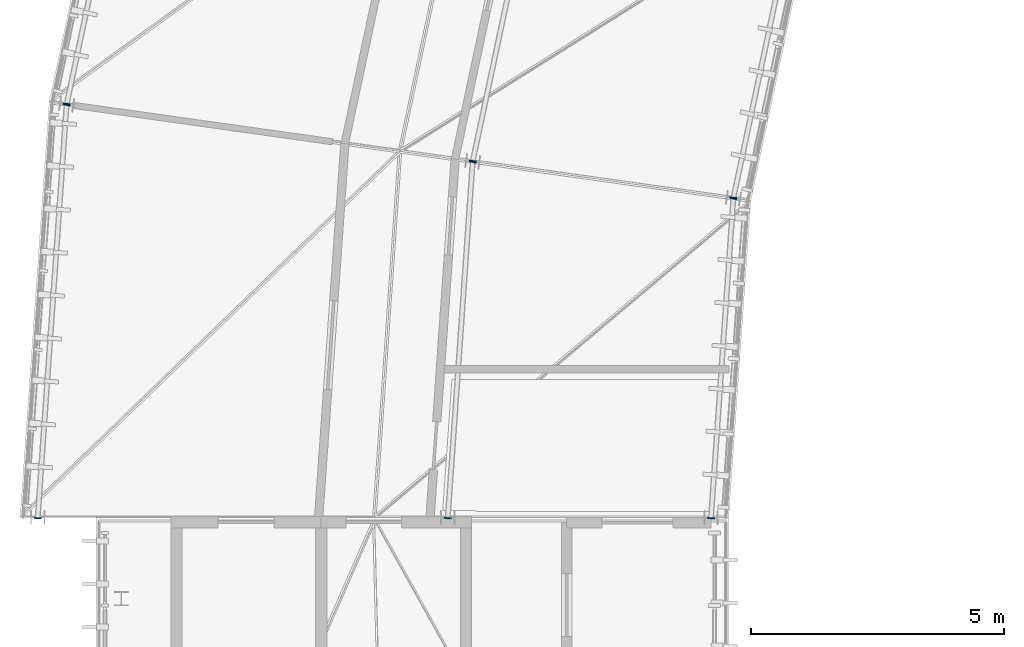
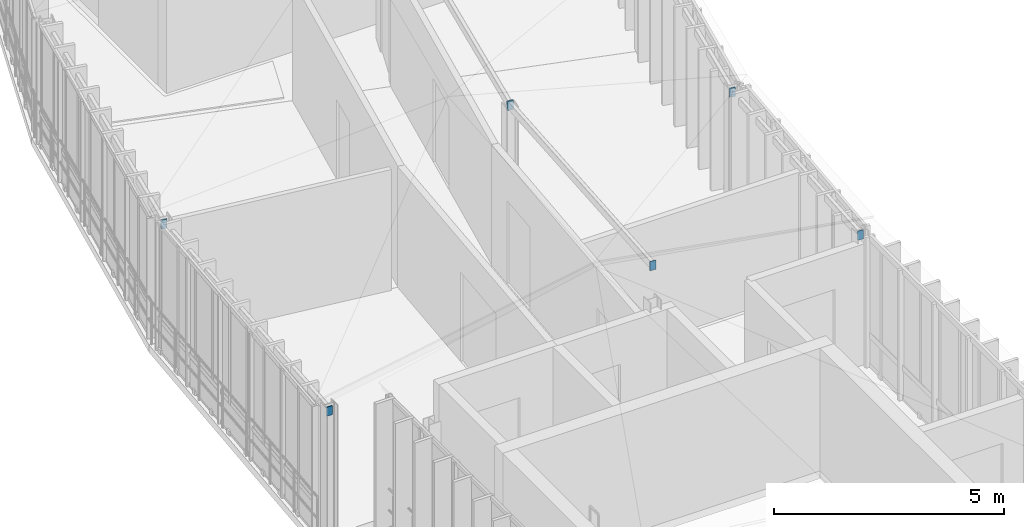
# One storey, part 10 of 18: 9 plates.
"""IFC4 building model written with IfcOpenShell, lengths in metres."""

from ifc_helpers import new_model, si_unit, direction, frame, origin, origin_2d, place, context, subcontext, project, spatial, rectangle, extrude, material, layer, layer_set, type_object, element, save


model = new_model("IFC4")

# Units and contexts
model_context = context("Model", 3, precision=1e-05, world=origin(), true_north=direction((0.0, 1.0)))
body_context = subcontext(model_context, "Body", "Model", "MODEL_VIEW")
ifc_project = project(units=[si_unit("LENGTHUNIT", "METRE"), si_unit("AREAUNIT", "SQUARE_METRE"), si_unit("VOLUMEUNIT", "CUBIC_METRE"), si_unit("PLANEANGLEUNIT", "RADIAN"), si_unit("MASSUNIT", "GRAM", prefix="KILO"), si_unit("THERMODYNAMICTEMPERATUREUNIT", "KELVIN"), si_unit("POWERUNIT", "WATT")], contexts=[model_context])

# Site, building, storey
site_placement = place(None, origin())
site = spatial("IfcSite", under=ifc_project, at=site_placement, CompositionType="ELEMENT")
building_placement = place(site_placement, origin())
building = spatial("IfcBuilding", under=site, at=building_placement, Name="Solvatero Civic Police Headquarters", CompositionType="ELEMENT")
storey_placement = place(building_placement, frame((0.0, 0.0, 29.39990234375)))
storey = spatial("IfcBuildingStorey", under=building, at=storey_placement, Name="L07", CompositionType="ELEMENT", Elevation=29.39990234375)

# Plates
ifc_material = material(Name="Steel S355", Category="steel")
ifc_layer = layer(ifc_material, 0.02001953125)
ifc_layer_set = layer_set([ifc_layer], Name="Steel S355")
plate_type = type_object("IfcPlateType", Name="PLT-CAP-20", PredefinedType="SHEET", material=ifc_layer_set)
for number, where, z_axis, x_axis, name in (
    (1, (49.089111328125, 32.3017578125, 3.0), (0.0, 0.0, 1.0), (-0.207911690818, -0.978147600734, 0.0), "Hollow Section End Cap Plate 0224"),
    (2, (43.939697265625, 33.025390625, 4.01513671875), (0.0, 0.0, 1.0), (-0.207911690818, -0.978147600734, 0.0), "Hollow Section End Cap Plate 0226"),
    (3, (35.918701171875, 34.152587890625, 3.0), (0.0, 0.0, 1.0), (-0.207911690818, -0.978147600734, 0.0), "Hollow Section End Cap Plate 0228"),
    (4, (49.092041015625, 32.321533203125, 3.0), (0.0, 0.0, 1.0), (-0.069756473744, -0.99756405026, 0.0), "Hollow Section End Cap Plate 0229"),
    (5, (48.6494140625, 25.989990234375, 3.2001953125), (0.0, 0.0, 1.0), (-0.069756473744, -0.99756405026, 0.0), "Hollow Section End Cap Plate 0230"),
    (6, (43.942626953125, 33.045166015625, 4.01513671875), (0.0, 0.0, 1.0), (-0.069756473744, -0.99756405026, 0.0), "Hollow Section End Cap Plate 0231"),
    (7, (43.44921875, 25.989990234375, 4.21533203125), (0.0, 0.0, 1.0), (-0.069756473744, -0.99756405026, 0.0), "Hollow Section End Cap Plate 0232"),
    (8, (35.92138671875, 34.172607421875, 3.0), (0.0, 0.0, 1.0), (-0.069756473744, -0.99756405026, 0.0), "Hollow Section End Cap Plate 0233"),
    (9, (35.349365234375, 25.989990234375, 3.2001953125), (0.0, 0.0, 1.0), (-0.069756473744, -0.99756405026, 0.0), "Hollow Section End Cap Plate 0234"),
):
    element("IfcPlate", number, at=place(storey_placement, frame(where, z_axis=z_axis, x_axis=x_axis)), inside=storey, type_object=plate_type, Name=name, PredefinedType="SHEET", context=body_context, shape_type="SweptSolid", body=[
        extrude(rectangle(XDim=0.02001953125, YDim=0.139892578125, at=origin_2d()), origin(), (0.0, 0.0, 1.0), 0.239990234375),
    ])

save(model, "model.ifc")
